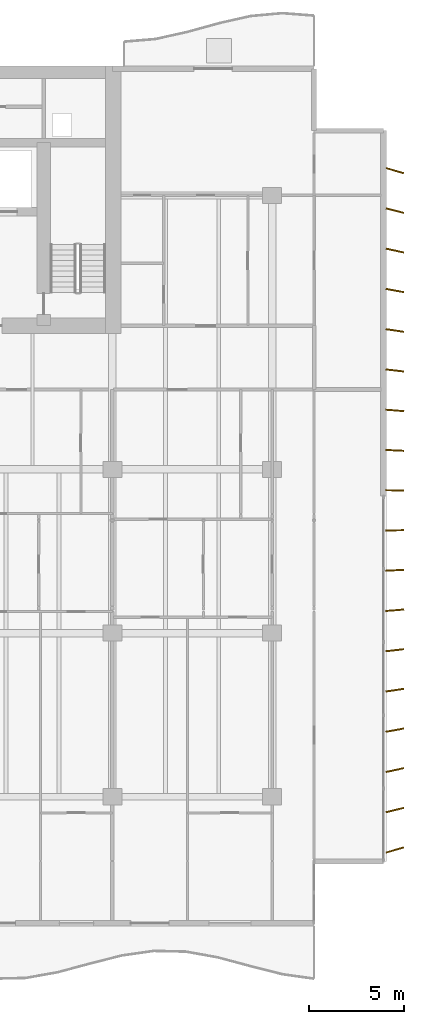
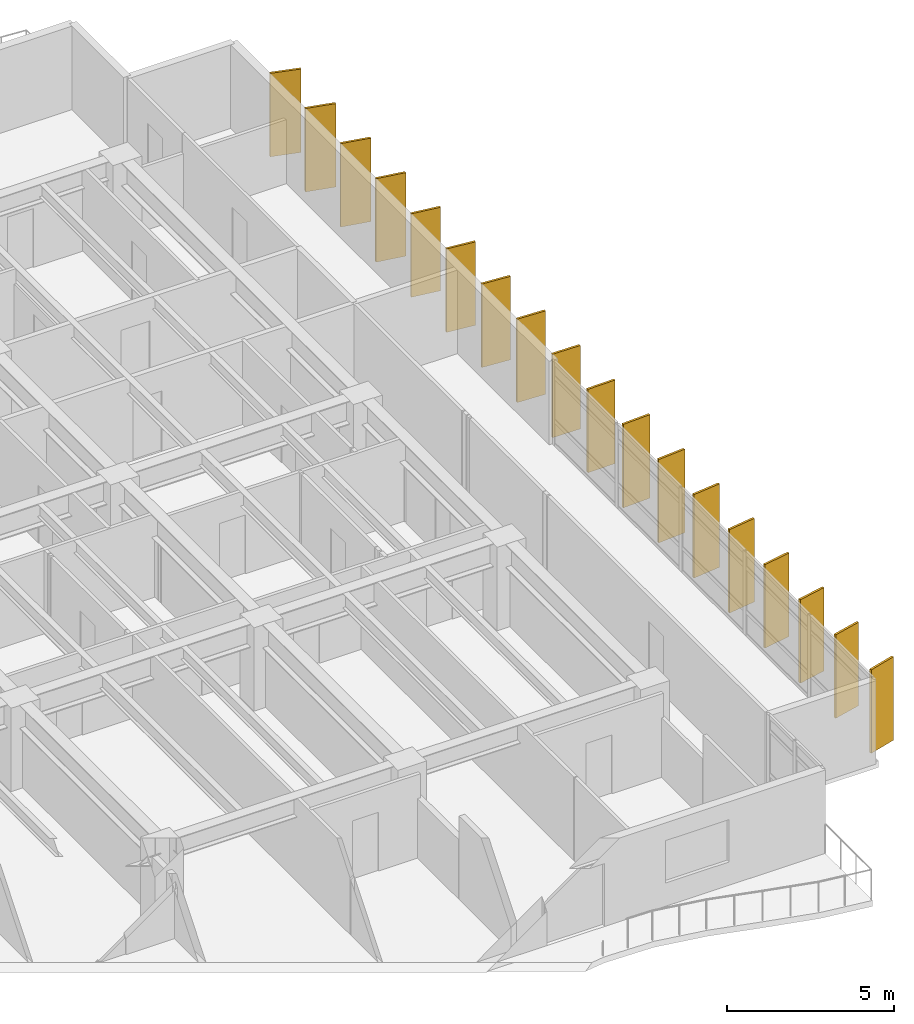
# One storey, part 20 of 20: 18 shading devices.
"""IFC4 building model written with IfcOpenShell, lengths in metres."""

import ifcopenshell
import ifcopenshell.guid

model = None  # the IFC model being written
_history = None  # IfcOwnerHistory: only IFC2X3 demands one
_inside = {}  # id of a spatial element -> (the spatial element, [elements in it])
_under = {}  # id of a project, library or spatial element -> (it, [spatial elements below it])
_declared = {}  # id of a project -> (the project, [libraries it declares])
_typed = {}  # id of a type object -> (the type object, [elements of that type])
_made_of = {}  # id of a material, layer set ... -> (it, [elements and type objects made of it])


def new_model(schema):
    """Start an empty IFC model of exactly this schema.

    Asked for "IFC4X3", IfcOpenShell would pick the latest addendum, in which some entities
    have other attributes; the version numbers below select the first issue.
    IFC2X3 requires an IfcOwnerHistory on every rooted entity: one is made here for all.
    """
    global model, _history
    if schema == "IFC4X3":
        model = ifcopenshell.file(schema_version=(4, 3, 0, 0))
    else:
        model = ifcopenshell.file(schema=schema)
    _inside.clear()
    _under.clear()
    _declared.clear()
    _typed.clear()
    _made_of.clear()
    _history = None
    if model.schema == "IFC2X3":
        org = make("IfcOrganization", Name="unknown")
        user = make(
            "IfcPersonAndOrganization",
            ThePerson=make("IfcPerson", FamilyName="unknown"),
            TheOrganization=org,
        )
        app = make(
            "IfcApplication",
            ApplicationDeveloper=org,
            Version="unknown",
            ApplicationFullName="unknown",
            ApplicationIdentifier="unknown",
        )
        _history = make(
            "IfcOwnerHistory",
            OwningUser=user,
            OwningApplication=app,
            ChangeAction="ADDED",
            CreationDate=0,
        )
    return model


def make(cls, **values):
    """One entity of the class cls with the attributes given. An attribute that is None is left unset."""
    return model.create_entity(
        cls, **{name: value for name, value in values.items() if value is not None}
    )


def rooted(cls, **values):
    """An entity with a GlobalId (a new one), such as an element, a storey or a relation."""
    return make(cls, GlobalId=ifcopenshell.guid.new(), OwnerHistory=_history, **values)


def si_unit(unit_type, name, prefix=None):
    """IfcSIUnit, for example si_unit("LENGTHUNIT", "METRE", prefix="MILLI")."""
    return make("IfcSIUnit", UnitType=unit_type, Prefix=prefix, Name=name)


def assignment(units):
    """IfcUnitAssignment: the units of a project."""
    return None if units is None else make("IfcUnitAssignment", Units=units)


def point(xyz):
    """IfcCartesianPoint."""
    return None if xyz is None else make("IfcCartesianPoint", Coordinates=xyz)


def direction(xyz):
    """IfcDirection."""
    return None if xyz is None else make("IfcDirection", DirectionRatios=xyz)


def frame(location, z_axis=None, x_axis=None):
    """IfcAxis2Placement3D, a coordinate frame: its origin and axes. An axis left out is left unset."""
    return make(
        "IfcAxis2Placement3D",
        Location=point(location),
        Axis=direction(z_axis),
        RefDirection=direction(x_axis),
    )


def frame_2d(location, x_axis=None):
    """IfcAxis2Placement2D, a coordinate frame in the plane: its origin and x axis."""
    return make(
        "IfcAxis2Placement2D", Location=point(location), RefDirection=direction(x_axis)
    )


def origin():
    """The frame at (0, 0, 0) with its axes left unset."""
    return frame((0.0, 0.0, 0.0))


def origin_2d():
    """The frame at (0, 0) in the plane with its x axis left unset."""
    return frame_2d((0.0, 0.0))


def place(relative_to, where):
    """IfcLocalPlacement: puts the frame where relative to a parent placement (None: the world)."""
    return make(
        "IfcLocalPlacement", PlacementRelTo=relative_to, RelativePlacement=where
    )


def context(
    kind, dimensions, precision=None, world=None, true_north=None, identifier=None
):
    """IfcGeometricRepresentationContext, for example the 3D "Model" context."""
    return make(
        "IfcGeometricRepresentationContext",
        ContextIdentifier=identifier,
        ContextType=kind,
        CoordinateSpaceDimension=dimensions,
        Precision=precision,
        WorldCoordinateSystem=world,
        TrueNorth=true_north,
    )


def subcontext(parent, identifier, kind, view, scale=None):
    """IfcGeometricRepresentationSubContext, for example "Body" below "Model"."""
    return make(
        "IfcGeometricRepresentationSubContext",
        ContextIdentifier=identifier,
        ContextType=kind,
        ParentContext=parent,
        TargetScale=scale,
        TargetView=view,
    )


def project(units=None, contexts=None):
    """IfcProject with its units and contexts."""
    return rooted(
        "IfcProject",
        Name="project",
        RepresentationContexts=contexts,
        UnitsInContext=assignment(units),
    )


def spatial(cls, under=None, at=None, **own):
    """A site, building, storey or space (cls), placed at a placement, below another one or the project."""
    s = rooted(cls, ObjectPlacement=at, **own)
    if under is not None:
        _under.setdefault(under.id(), (under, []))[1].append(s)
    return s


def profile(cls, at=None, kind="AREA", **sizes):
    """A parametric profile (cls). Its sizes go by their IFC names, for example OverallWidth=200.0."""
    return make(cls, ProfileType=kind, Position=at, **sizes)


def rectangle(**sizes):
    """IfcRectangleProfileDef."""
    return profile("IfcRectangleProfileDef", **sizes)


def extrude(swept, where, along, depth):
    """IfcExtrudedAreaSolid: the profile swept, set in the frame where, extruded along a direction by depth."""
    return make(
        "IfcExtrudedAreaSolid",
        SweptArea=swept,
        Position=where,
        ExtrudedDirection=direction(along),
        Depth=depth,
    )


def shape(context_of_items, identifier, shape_type, items):
    """IfcShapeRepresentation: the items that make up one representation, for example the "Body"."""
    return make(
        "IfcShapeRepresentation",
        ContextOfItems=context_of_items,
        RepresentationIdentifier=identifier,
        RepresentationType=shape_type,
        Items=items,
    )


def material(Name=None, Category=None):
    """IfcMaterial."""
    return make("IfcMaterial", Name=Name, Category=Category)


def material_profile(
    of_material, cross_section, Name=None, Category=None, Priority=None
):
    """IfcMaterialProfile: a cross section and its material."""
    return make(
        "IfcMaterialProfile",
        Name=Name,
        Material=of_material,
        Profile=cross_section,
        Priority=Priority,
        Category=Category,
    )


def profile_set(profiles, Name=None, composite=None):
    """IfcMaterialProfileSet."""
    return make(
        "IfcMaterialProfileSet",
        Name=Name,
        MaterialProfiles=profiles,
        CompositeProfile=composite,
    )


def made_of(thing, what):
    """Note that an element or type object is made of a material, layer set ...; save() writes the relation."""
    if what is not None:
        _made_of.setdefault(what.id(), (what, []))[1].append(thing)
    return thing


def type_object(cls, material=None, **own):
    """A type object (cls), such as IfcWallType, which elements share."""
    return made_of(rooted(cls, **own), material)


def element(
    cls,
    number,
    at=None,
    inside=None,
    cuts=None,
    type_object=None,
    material=None,
    context=None,
    identifier="Body",
    shape_type=None,
    held_by="IfcProductDefinitionShape",
    body=None,
    shapes=None,
    **own,
):
    """One element of the class cls, such as IfcWall. Its Tag is "e" and its number.

    at: its placement. inside: the storey or other place that contains it. cuts: it is an
    opening in that element (IfcRelVoidsElement). A single representation is given by context,
    identifier, shape_type and body (its items); several are given by shapes. held_by: the class
    of the entity that holds the representations. save() writes the other relations.
    """
    e = rooted(cls, Tag="e%d" % number, ObjectPlacement=at, **own)
    if body is not None:
        shapes = [shape(context, identifier, shape_type, body)]
    if shapes is not None:
        e.Representation = make(held_by, Representations=shapes)
    if inside is not None:
        _inside.setdefault(inside.id(), (inside, []))[1].append(e)
    if cuts is not None:
        rooted(
            "IfcRelVoidsElement", RelatingBuildingElement=cuts, RelatedOpeningElement=e
        )
    if type_object is not None:
        _typed.setdefault(type_object.id(), (type_object, []))[1].append(e)
    return made_of(e, material)


def aggregate(whole, parts):
    """IfcRelAggregates: a whole, such as a stair, and the parts it consists of."""
    return rooted("IfcRelAggregates", RelatingObject=whole, RelatedObjects=parts)


def save(model, path):
    """Write the relations noted so far, then the file.

    IfcRelAggregates (storeys below a building ...), IfcRelContainedInSpatialStructure (elements
    in a storey), IfcRelDefinesByType, IfcRelAssociatesMaterial and IfcRelDeclares: one each for
    every whole, place, type object, material and project.
    """
    for whole, parts in _under.values():
        aggregate(whole, parts)
    for where, things in _inside.values():
        rooted(
            "IfcRelContainedInSpatialStructure",
            RelatedElements=things,
            RelatingStructure=where,
        )
    for kind, things in _typed.values():
        rooted("IfcRelDefinesByType", RelatedObjects=things, RelatingType=kind)
    for what, things in _made_of.values():
        rooted("IfcRelAssociatesMaterial", RelatedObjects=things, RelatingMaterial=what)
    for by, libraries in _declared.values():
        rooted("IfcRelDeclares", RelatingContext=by, RelatedDefinitions=libraries)
    model.write(path)


model = new_model("IFC4")

# Units and contexts
model_context = context("Model", 3, precision=1e-05, world=origin(), true_north=direction((0.0, 1.0)))
body_context = subcontext(model_context, "Body", "Model", "MODEL_VIEW")
ifc_project = project(units=[si_unit("LENGTHUNIT", "METRE"), si_unit("AREAUNIT", "SQUARE_METRE"), si_unit("VOLUMEUNIT", "CUBIC_METRE"), si_unit("PLANEANGLEUNIT", "RADIAN"), si_unit("MASSUNIT", "GRAM", prefix="KILO")], contexts=[model_context])

# Site, building, storey
site_placement = place(None, origin())
site = spatial("IfcSite", under=ifc_project, at=site_placement, CompositionType="ELEMENT")
building_placement = place(site_placement, origin())
building = spatial("IfcBuilding", under=site, at=building_placement, Name="Caelmar Bay Residences", CompositionType="ELEMENT")
storey_placement = place(building_placement, frame((0.0, 0.0, 119.10009765625)))
storey = spatial("IfcBuildingStorey", under=building, at=storey_placement, Name="L32", CompositionType="ELEMENT", Elevation=119.10009765625)

# Shading devices
ifc_material = material(Name="Anodised architectural bronze aluminium 6063-T6", Category="aluminium")
ifc_material_profile = material_profile(ifc_material, rectangle(XDim=0.074951171875, YDim=0.949951171875, at=origin_2d()), Name="BRONZE-FIN-75X950")
ifc_profile_set = profile_set([ifc_material_profile], Name="Anodised architectural bronze aluminium 6063-T6")
shading_device_type = type_object("IfcShadingDeviceType", Name="SHD-FIN-950", PredefinedType="USERDEFINED", material=ifc_profile_set)
for number, where, z_axis, x_axis, name in (
    (1, (74.35009765625, 9.39990234375, 0.0), (0.0, 0.0, 1.0), (-0.275637355817, 0.961261695938, 0.0), "L32 East Bronze Solar Fin 1"),
    (2, (74.35009765625, 11.5, 0.0), (0.0, 0.0, 1.0), (-0.243953546137, 0.969786918517, 0.0), "L32 East Bronze Solar Fin 2"),
    (3, (74.35009765625, 13.60009765625, 0.0), (0.0, 0.0, 1.0), (-0.212007109922, 0.977268123568, 0.0), "L32 East Bronze Solar Fin 3"),
    (4, (74.35009765625, 15.699951171875, 0.0), (0.0, 0.0, 1.0), (-0.179660748593, 0.98372862895, 0.0), "L32 East Bronze Solar Fin 4"),
    (5, (74.35009765625, 17.800048828125, 0.0), (0.0, 0.0, 1.0), (-0.147291543397, 0.989093120613, 0.0), "L32 East Bronze Solar Fin 5"),
    (6, (74.35009765625, 19.89990234375, 0.0), (0.0, 0.0, 1.0), (-0.114763772489, 0.993392810787, 0.0), "L32 East Bronze Solar Fin 6"),
    (7, (74.35009765625, 22.0, 0.0), (0.0, 0.0, 1.0), (-0.08211245342, 0.996623070671, 0.0), "L32 East Bronze Solar Fin 7"),
    (8, (74.35009765625, 24.10009765625, 0.0), (0.0, 0.0, 1.0), (-0.049198415926, 0.998789024705, 0.0), "L32 East Bronze Solar Fin 8"),
    (9, (74.35009765625, 26.199951171875, 0.0), (0.0, 0.0, 1.0), (-0.016405359001, 0.999865423043, 0.0), "L32 East Bronze Solar Fin 9"),
    (10, (74.35009765625, 28.300048828125, 0.0), (0.0, 0.0, 1.0), (0.016405359001, 0.999865423043, 0.0), "L32 East Bronze Solar Fin 10"),
    (11, (74.35009765625, 30.39990234375, 0.0), (0.0, 0.0, 1.0), (0.049198415926, 0.998789024705, 0.0), "L32 East Bronze Solar Fin 11"),
    (12, (74.35009765625, 32.5, 0.0), (0.0, 0.0, 1.0), (0.08211245342, 0.996623070671, 0.0), "L32 East Bronze Solar Fin 12"),
    (13, (74.35009765625, 34.60009765625, 0.0), (0.0, 0.0, 1.0), (0.114763772489, 0.993392810787, 0.0), "L32 East Bronze Solar Fin 13"),
    (14, (74.35009765625, 36.699951171875, 0.0), (0.0, 0.0, 1.0), (0.147291543397, 0.989093120613, 0.0), "L32 East Bronze Solar Fin 14"),
    (15, (74.35009765625, 38.800048828125, 0.0), (0.0, 0.0, 1.0), (0.179660748593, 0.98372862895, 0.0), "L32 East Bronze Solar Fin 15"),
    (16, (74.35009765625, 40.89990234375, 0.0), (0.0, 0.0, 1.0), (0.212007109922, 0.977268123568, 0.0), "L32 East Bronze Solar Fin 16"),
    (17, (74.35009765625, 43.0, 0.0), (0.0, 0.0, 1.0), (0.243953546137, 0.969786918517, 0.0), "L32 East Bronze Solar Fin 17"),
    (18, (74.35009765625, 45.10009765625, 0.0), (0.0, 0.0, 1.0), (0.275637355817, 0.961261695938, 0.0), "L32 East Bronze Solar Fin 18"),
):
    element("IfcShadingDevice", number, at=place(storey_placement, frame(where, z_axis=z_axis, x_axis=x_axis)), inside=storey, type_object=shading_device_type, Name=name, ObjectType="FIN", PredefinedType="USERDEFINED", context=body_context, shape_type="SweptSolid", body=[
        extrude(rectangle(XDim=0.074951171875, YDim=0.949951171875, at=origin_2d()), origin(), (0.0, 0.0, 1.0), 3.0498046875),
    ])

save(model, "model.ifc")
